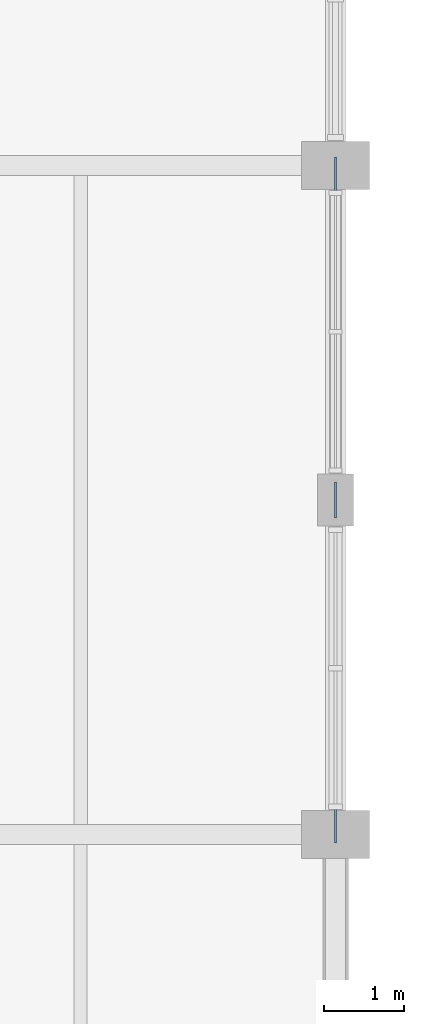
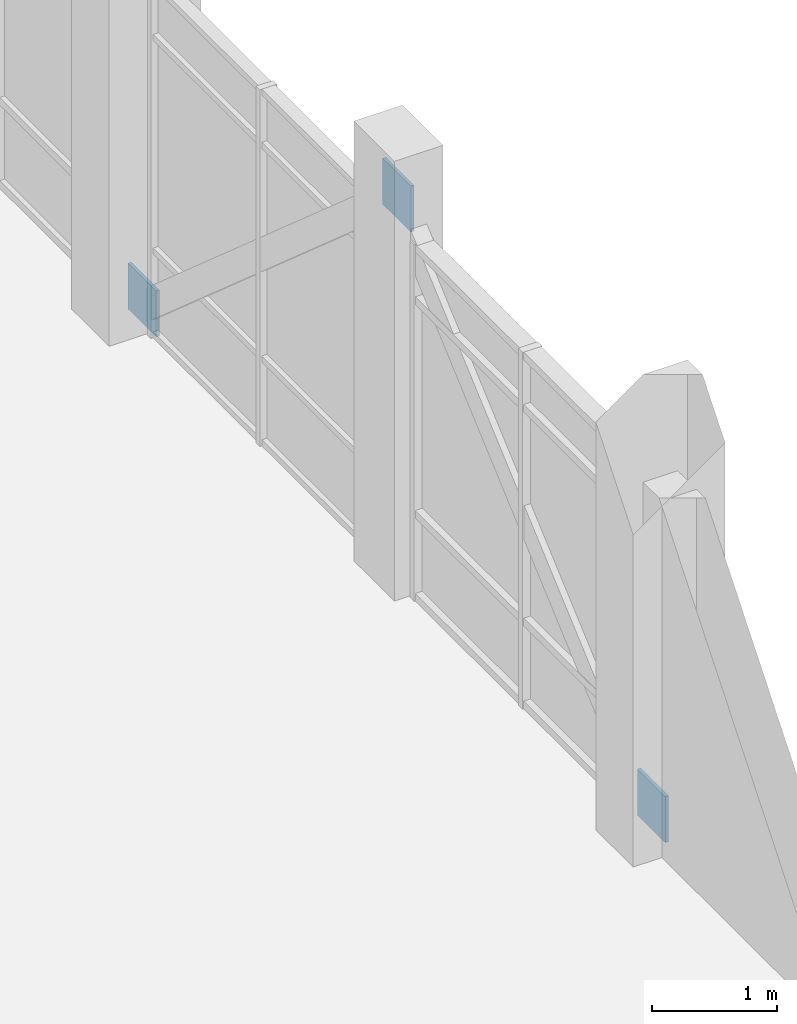
# One storey, part 51 of 86: 3 plates.
"""IFC4 building model written with IfcOpenShell, lengths in metres."""

from ifc_helpers import new_model, si_unit, direction, frame, origin, origin_2d, place, context, subcontext, project, spatial, rectangle, extrude, material, layer, layer_set, type_object, element, save


model = new_model("IFC4")

# Units and contexts
model_context = context("Model", 3, precision=1e-05, world=origin(), true_north=direction((0.0, 1.0)))
body_context = subcontext(model_context, "Body", "Model", "MODEL_VIEW")
ifc_project = project(units=[si_unit("LENGTHUNIT", "METRE"), si_unit("AREAUNIT", "SQUARE_METRE"), si_unit("VOLUMEUNIT", "CUBIC_METRE"), si_unit("PLANEANGLEUNIT", "RADIAN"), si_unit("MASSUNIT", "GRAM", prefix="KILO")], contexts=[model_context])

# Site, building, storey
site_placement = place(None, origin())
site = spatial("IfcSite", under=ifc_project, at=site_placement, CompositionType="ELEMENT")
building_placement = place(site_placement, origin())
building = spatial("IfcBuilding", under=site, at=building_placement, Name="Oolite Switchyard Hospital", CompositionType="ELEMENT")
storey_placement = place(building_placement, frame((0.0, 0.0, 13.5)))
storey = spatial("IfcBuildingStorey", under=building, at=storey_placement, Name="L03", CompositionType="ELEMENT", Elevation=13.5)

# Plates
ifc_material = material(Name="Steel ASTM A572 Grade 50", Category="steel")
ifc_layer = layer(ifc_material, 0.030029296875)
ifc_layer_set = layer_set([ifc_layer], Name="PLT-GUS-450")
plate_type = type_object("IfcPlateType", Name="PLT-GUS-450", PredefinedType="SHEET", material=ifc_layer_set)
for number, where, z_axis, x_axis, name in (
    (1, (211.199951171875, 33.719970703125, -0.02490234375), (0.0, 0.0, 1.0), (0.0, 1.0, 0.0), "L03 Brace Base Gusset Plate 115"),
    (2, (211.199951171875, 41.8798828125, -0.02490234375), (0.0, 0.0, 1.0), (0.0, 1.0, 0.0), "L03 Brace Base Gusset Plate 116"),
    (3, (211.199951171875, 37.800048828125, 3.47509765625), (0.0, 0.0, 1.0), (0.0, 1.0, 0.0), "L03 Gusset Connection Plate 117"),
):
    element("IfcPlate", number, at=place(storey_placement, frame(where, z_axis=z_axis, x_axis=x_axis)), inside=storey, type_object=plate_type, Name=name, PredefinedType="SHEET", context=body_context, shape_type="SweptSolid", body=[
        extrude(rectangle(XDim=0.449951171875, YDim=0.030029296875, at=origin_2d()), origin(), (0.0, 0.0, 1.0), 0.449951171875),
    ])

save(model, "model.ifc")
